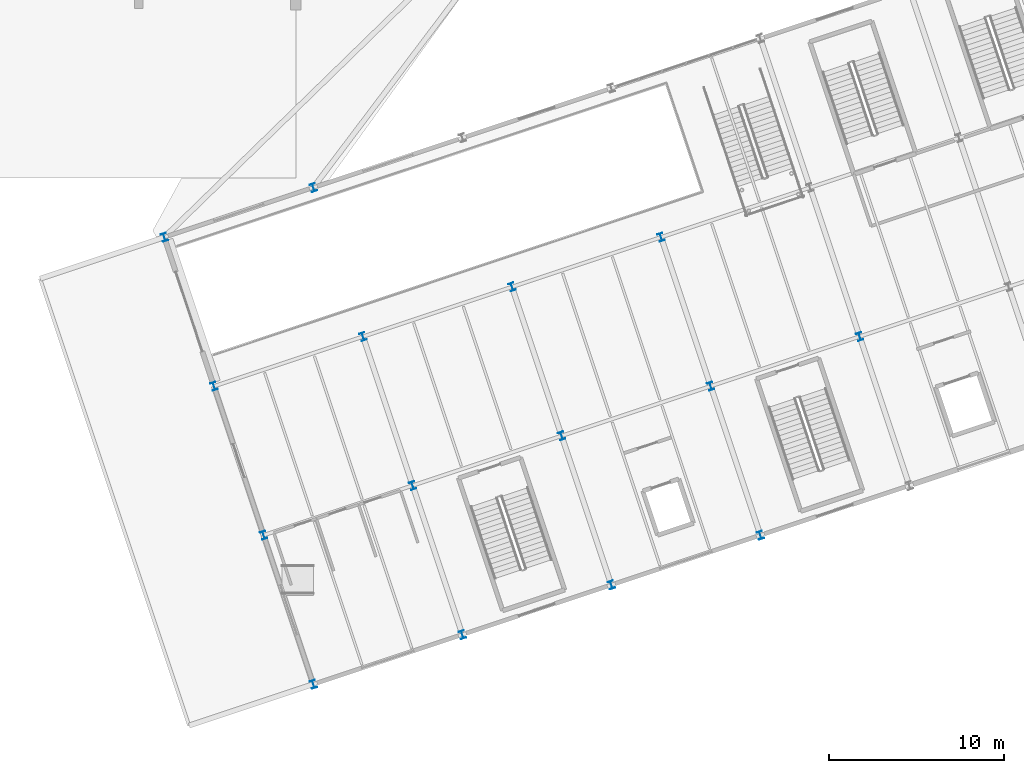
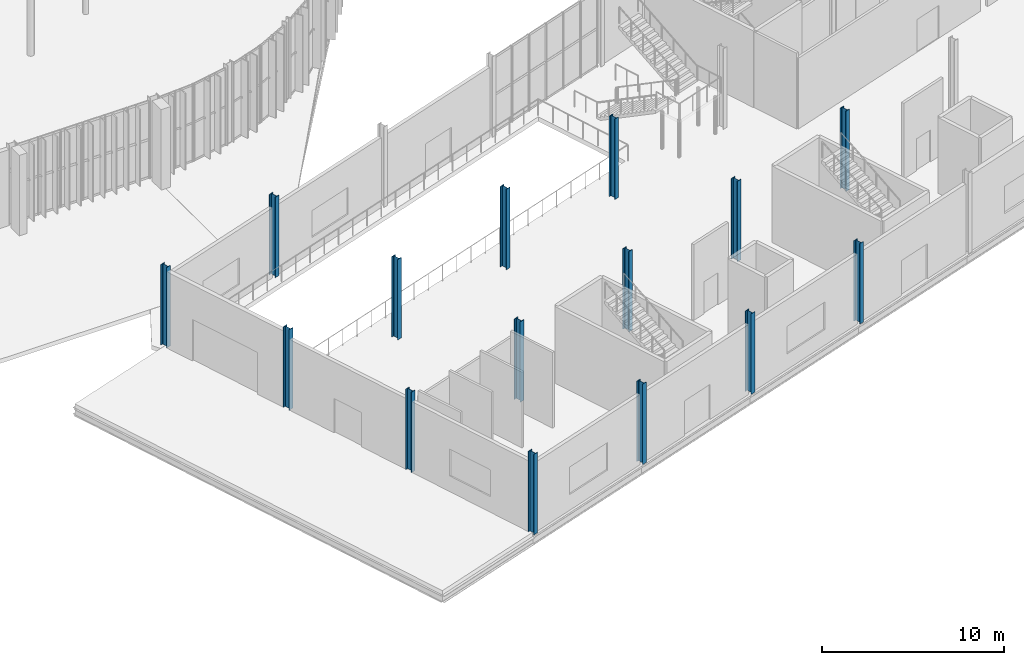
# One storey, part 5 of 158: 15 columns.
"""IFC4 building model written with IfcOpenShell, lengths in metres."""

from ifc_helpers import new_model, si_unit, derived_unit, direction, frame, origin, origin_2d, place, context, subcontext, project, spatial, i_section, extrude, material, material_profile, profile_set, type_object, element, save


model = new_model("IFC4")

# Units and contexts
model_context = context("Model", 3, precision=1e-05, world=origin(), true_north=direction((0.0, 1.0)))
body_context = subcontext(model_context, "Body", "Model", "MODEL_VIEW")
ifc_project = project(units=[si_unit("LENGTHUNIT", "METRE"), si_unit("AREAUNIT", "SQUARE_METRE"), si_unit("VOLUMEUNIT", "CUBIC_METRE"), si_unit("PLANEANGLEUNIT", "RADIAN"), si_unit("MASSUNIT", "GRAM", prefix="KILO"), si_unit("THERMODYNAMICTEMPERATUREUNIT", "KELVIN"), si_unit("TIMEUNIT", "SECOND"), derived_unit("THERMALTRANSMITTANCEUNIT", [(si_unit("MASSUNIT", "GRAM", prefix="KILO"), 1), (si_unit("THERMODYNAMICTEMPERATUREUNIT", "KELVIN"), -1), (si_unit("TIMEUNIT", "SECOND"), -3)])], contexts=[model_context])

# Site, building, storey
site_placement = place(None, origin())
site = spatial("IfcSite", under=ifc_project, at=site_placement, CompositionType="ELEMENT")
building_placement = place(site_placement, origin())
building = spatial("IfcBuilding", under=site, at=building_placement, Name="Cambertide Market Hall", CompositionType="ELEMENT")
storey_placement = place(building_placement, origin())
storey = spatial("IfcBuildingStorey", under=building, at=storey_placement, Name="L01", CompositionType="ELEMENT", Elevation=0.0)

# Columns
ifc_material_1 = material(Name="Steel S355", Category="steel")
ifc_material_profile_1 = material_profile(ifc_material_1, i_section(OverallWidth=0.300048828125, OverallDepth=0.449951171875, WebThickness=0.013916015625, FlangeThickness=0.02587890625, FilletRadius=0.027099609375, at=origin_2d()), Name="HEB 450")
ifc_profile_set_1 = profile_set([ifc_material_profile_1], Name="Steel S355")
column_type_1 = type_object("IfcColumnType", Name="Exterior Steel Column HEB 450", PredefinedType="COLUMN", material=ifc_profile_set_1)
for number, where, z_axis, x_axis, name in (
    (1, (106.0, 12.0, 0.0), (0.0, 0.0, 1.0), (0.94868329805, 0.316227766018, 0.0), "Level 1 Column COL-V3-1-1-L01"),
    (2, (103.154052734375, 20.5380859375, 0.0), (0.0, 0.0, 1.0), (0.94868329805, 0.316227766018, 0.0), "Level 1 Column COL-V3-1-2-L01"),
    (3, (100.307861328125, 29.076416015625, 0.0), (0.0, 0.0, 1.0), (0.94868329805, 0.316227766018, 0.0), "Level 1 Column COL-V3-1-3-L01"),
    (4, (97.4619140625, 37.614501953125, 0.0), (0.0, 0.0, 1.0), (0.94868329805, 0.316227766018, 0.0), "Level 1 Column COL-V3-1-4-L01"),
    (5, (114.5380859375, 14.845947265625, 0.0), (0.0, 0.0, 1.0), (0.94868329805, 0.316227766018, 0.0), "Level 1 Column COL-V3-2-1-L01"),
    (6, (106.0, 40.46044921875, 0.0), (0.0, 0.0, 1.0), (0.94868329805, 0.316227766018, 0.0), "Level 1 Column COL-V3-2-4-L01"),
    (7, (123.076416015625, 17.692138671875, 0.0), (0.0, 0.0, 1.0), (0.94868329805, 0.316227766018, 0.0), "Level 1 Column COL-V3-3-1-L01"),
    (8, (131.614501953125, 20.5380859375, 0.0), (0.0, 0.0, 1.0), (0.94868329805, 0.316227766018, 0.0), "Level 1 Column COL-V3-4-1-L01"),
):
    element("IfcColumn", number, at=place(storey_placement, frame(where, z_axis=z_axis, x_axis=x_axis)), inside=storey, type_object=column_type_1, Name=name, PredefinedType="COLUMN", context=body_context, shape_type="SweptSolid", body=[
        extrude(i_section(OverallWidth=0.300048828125, OverallDepth=0.449951171875, WebThickness=0.013916015625, FlangeThickness=0.02587890625, FilletRadius=0.027099609375, at=origin_2d()), origin(), (0.0, 0.0, 1.0), 5.39990234375),
    ])
ifc_material_2 = material(Name="Steel S355", Category="steel")
ifc_material_profile_2 = material_profile(ifc_material_2, i_section(OverallWidth=0.300048828125, OverallDepth=0.449951171875, WebThickness=0.013916015625, FlangeThickness=0.02587890625, FilletRadius=0.027099609375, at=origin_2d()), Name="HEB 450")
ifc_profile_set_2 = profile_set([ifc_material_profile_2], Name="Steel S355")
column_type_2 = type_object("IfcColumnType", Name="Steel Column HEB 450", PredefinedType="COLUMN", material=ifc_profile_set_2)
for number, where, z_axis, x_axis, name in (
    (9, (111.692138671875, 23.38427734375, 0.0), (0.0, 0.0, 1.0), (0.94868329805, 0.316227766018, 0.0), "Level 1 Column COL-V3-2-2-L01"),
    (10, (108.845947265625, 31.92236328125, 0.0), (0.0, 0.0, 1.0), (0.94868329805, 0.316227766018, 0.0), "Level 1 Column COL-V3-2-3-L01"),
    (11, (120.230224609375, 26.230224609375, 0.0), (0.0, 0.0, 1.0), (0.94868329805, 0.316227766018, 0.0), "Level 1 Column COL-V3-3-2-L01"),
    (12, (117.38427734375, 34.768310546875, 0.0), (0.0, 0.0, 1.0), (0.94868329805, 0.316227766018, 0.0), "Level 1 Column COL-V3-3-3-L01"),
    (13, (128.768310546875, 29.076416015625, 0.0), (0.0, 0.0, 1.0), (0.94868329805, 0.316227766018, 0.0), "Level 1 Column COL-V3-4-2-L01"),
    (14, (125.92236328125, 37.614501953125, 0.0), (0.0, 0.0, 1.0), (0.94868329805, 0.316227766018, 0.0), "Level 1 Column COL-V3-4-3-L01"),
    (15, (137.306640625, 31.92236328125, 0.0), (0.0, 0.0, 1.0), (0.94868329805, 0.316227766018, 0.0), "Level 1 Column COL-V3-5-2-L01"),
):
    element("IfcColumn", number, at=place(storey_placement, frame(where, z_axis=z_axis, x_axis=x_axis)), inside=storey, type_object=column_type_2, Name=name, PredefinedType="COLUMN", context=body_context, shape_type="SweptSolid", body=[
        extrude(i_section(OverallWidth=0.300048828125, OverallDepth=0.449951171875, WebThickness=0.013916015625, FlangeThickness=0.02587890625, FilletRadius=0.027099609375, at=origin_2d()), origin(), (0.0, 0.0, 1.0), 5.39990234375),
    ])

save(model, "model.ifc")
